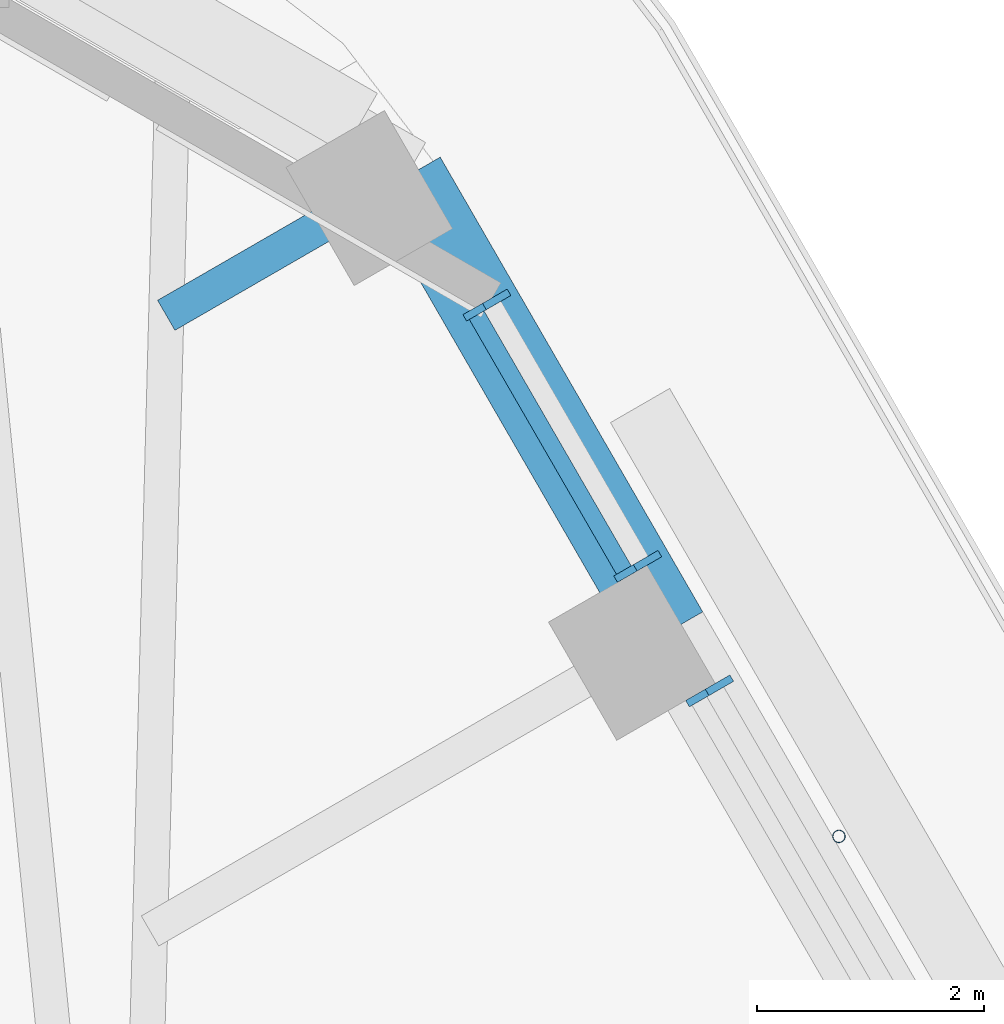
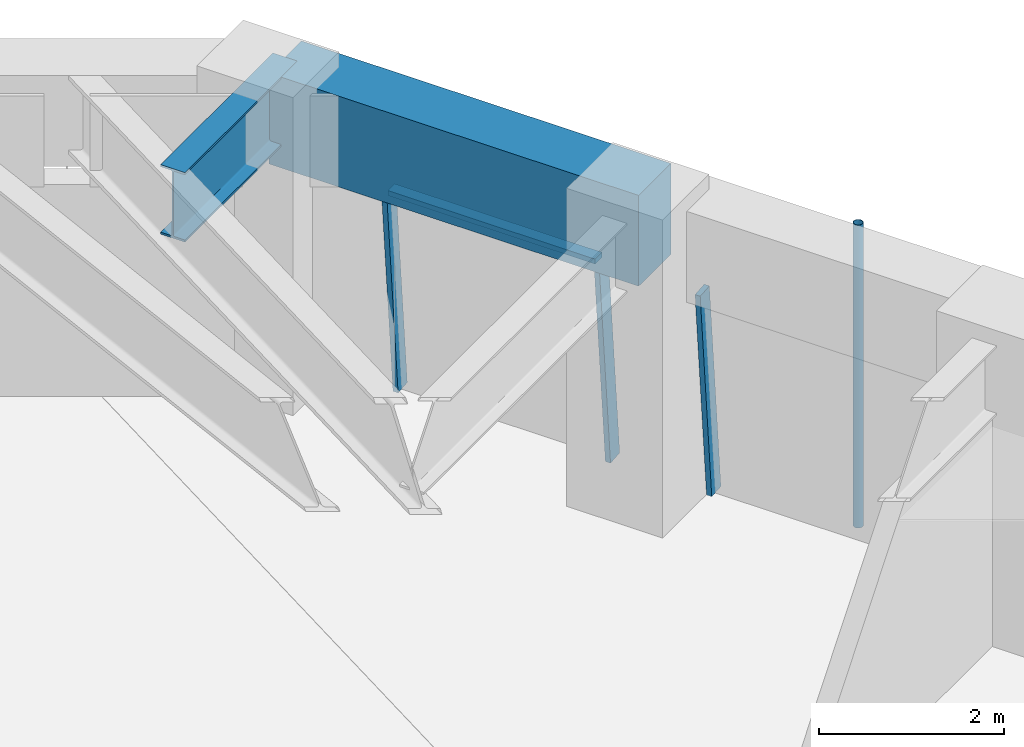
# One storey, part 12 of 20: 5 members, 2 beams, 2 elements without a shape of their own.
"""IFC4 building model written with IfcOpenShell, lengths in metres."""

from ifc_helpers import new_model, si_unit, direction, frame, origin, origin_2d, place, context, subcontext, project, spatial, rectangle, hollow_circle, i_section, extrude, material, material_profile, profile_set, type_object, element, aggregate, save


model = new_model("IFC4")

# Units and contexts
model_context = context("Model", 3, precision=1e-05, world=origin(), true_north=direction((0.0, 1.0)))
body_context = subcontext(model_context, "Body", "Model", "MODEL_VIEW")
ifc_project = project(units=[si_unit("LENGTHUNIT", "METRE"), si_unit("AREAUNIT", "SQUARE_METRE"), si_unit("VOLUMEUNIT", "CUBIC_METRE"), si_unit("PLANEANGLEUNIT", "RADIAN"), si_unit("MASSUNIT", "GRAM", prefix="KILO")], contexts=[model_context])

# Site, building, storey
site_placement = place(None, origin())
site = spatial("IfcSite", under=ifc_project, at=site_placement, CompositionType="ELEMENT")
building_placement = place(site_placement, origin())
building = spatial("IfcBuilding", under=site, at=building_placement, Name="Tarfa Lantern Tower", CompositionType="ELEMENT")
storey_placement = place(building_placement, frame((0.0, 0.0, 265.89990234375)))
storey = spatial("IfcBuildingStorey", under=building, at=storey_placement, Name="L60", CompositionType="ELEMENT", Elevation=265.89990234375)

# Curtain wall, member
ifc_material_1 = material(Name="Aluminium framed curtain wall", Category="aluminium")
curtain_wall_type = type_object("IfcCurtainWallType", Name="CW3 CANTED GLAZING HIGH ZONE 2800", PredefinedType="USERDEFINED", material=ifc_material_1)
curtain_wall_1_placement = place(storey_placement, origin())
curtain_wall_1 = element("IfcCurtainWall", 1, at=curtain_wall_1_placement, inside=storey, type_object=curtain_wall_type, Name="CW3 NE L60", ObjectType="CURTAIN WALL", PredefinedType="USERDEFINED")
ifc_material_2 = material(Name="Aluminium mullion", Category="aluminium")
ifc_material_profile_1 = material_profile(ifc_material_2, rectangle(XDim=0.06494140625, YDim=0.199951171875, at=origin_2d()), Name="AL MULLION 65x200")
ifc_profile_set_1 = profile_set([ifc_material_profile_1], Name="Aluminium mullion")
member_type_1 = type_object("IfcMemberType", Name="CWM1 MULLION 65x200", PredefinedType="MULLION", material=ifc_profile_set_1)
member_1_placement = place(storey_placement, frame((20.7255859375, 21.90234375, 0.0), z_axis=(-0.077032386753, -0.044465143199, 0.996036576854), x_axis=(0.499919672301, -0.866071776036, 0.0)))
member_1 = element("IfcMember", 2, at=member_1_placement, type_object=member_type_1, Name="CW3 mullion 2", PredefinedType="MULLION", context=body_context, shape_type="SweptSolid", body=[
    extrude(rectangle(XDim=0.06494140625, YDim=0.199951171875, at=origin_2d()), origin(), (0.0, 0.0, 1.0), 2.811279296875),
])
aggregate(curtain_wall_1, [member_1])

# Curtain wall, members
curtain_wall_2_placement = place(storey_placement, origin())
curtain_wall_2 = element("IfcCurtainWall", 3, at=curtain_wall_2_placement, inside=storey, type_object=curtain_wall_type, Name="CW3 NE L60", ObjectType="CURTAIN WALL", PredefinedType="USERDEFINED")
member_2_placement = place(storey_placement, frame((20.093017578125, 22.997802734375, 0.0), z_axis=(-0.077032386753, -0.044465143199, 0.996036576854), x_axis=(0.499919672301, -0.866071776036, 0.0)))
member_2 = element("IfcMember", 4, at=member_2_placement, type_object=member_type_1, Name="CW3 mullion 1", PredefinedType="MULLION", context=body_context, shape_type="SweptSolid", body=[
    extrude(rectangle(XDim=0.06494140625, YDim=0.199951171875, at=origin_2d()), origin(), (0.0, 0.0, 1.0), 2.811279296875),
])
member_3_placement = place(storey_placement, frame((18.76611328125, 25.296142578125, 0.0), z_axis=(-0.077032386753, -0.044465143199, 0.996036576854), x_axis=(0.499919672301, -0.866071776036, 0.0)))
member_3 = element("IfcMember", 5, at=member_3_placement, type_object=member_type_1, Name="CW3 mullion 2", PredefinedType="MULLION", context=body_context, shape_type="SweptSolid", body=[
    extrude(rectangle(XDim=0.06494140625, YDim=0.199951171875, at=origin_2d()), origin(), (0.0, 0.0, 1.0), 2.811279296875),
])
ifc_material_3 = material(Name="Aluminium transom", Category="aluminium")
ifc_material_profile_2 = material_profile(ifc_material_3, rectangle(XDim=0.14990234375, YDim=0.06494140625, at=origin_2d()), Name="AL TRANSOM 150x65")
ifc_profile_set_2 = profile_set([ifc_material_profile_2], Name="Aluminium transom")
member_type_2 = type_object("IfcMemberType", Name="CWT1 TRANSOM 150x65", PredefinedType="USERDEFINED", material=ifc_profile_set_2)
member_4_placement = place(storey_placement, frame((19.86279296875, 22.90234375, 2.767578125), z_axis=(-0.5000136139, 0.866017543653, 0.0), x_axis=(-0.866017543653, -0.5000136139, 0.0)))
member_4 = element("IfcMember", 6, at=member_4_placement, type_object=member_type_2, Name="CW3 transom 1.2", ObjectType="TRANSOM", PredefinedType="USERDEFINED", context=body_context, shape_type="SweptSolid", body=[
    extrude(rectangle(XDim=0.14990234375, YDim=0.06494140625, at=origin_2d()), origin(), (0.0, 0.0, 1.0), 2.5888671875),
])
aggregate(curtain_wall_2, [member_2, member_3, member_4])

# Beam
ifc_material_4 = material(Name="Concrete C80/95", Category="concrete")
ifc_material_profile_3 = material_profile(ifc_material_4, rectangle(XDim=0.699951171875, YDim=1.199951171875, at=origin_2d()), Name="RC 700x1200")
ifc_profile_set_3 = profile_set([ifc_material_profile_3], Name="Concrete C80/95")
beam_type_1 = type_object("IfcBeamType", Name="EB3 RC 700x1200", PredefinedType="SPANDREL", material=ifc_profile_set_3)
beam_1_placement = place(storey_placement, frame((20.25341796875, 22.360107421875, 3.400146484375), z_axis=(-0.499987836815, 0.866032426089, 0.0), x_axis=(-0.866032426089, -0.499987836815, 0.0)))
element("IfcBeam", 7, at=beam_1_placement, inside=storey, type_object=beam_type_1, Name="Edge beam NE5", PredefinedType="SPANDREL", context=body_context, shape_type="SweptSolid", body=[
    extrude(rectangle(XDim=0.699951171875, YDim=1.199951171875, at=origin_2d()), origin(), (0.0, 0.0, 1.0), 4.61865234375),
])

# Member
ifc_material_5 = material(Name="Steel S355", Category="steel")
ifc_material_profile_4 = material_profile(ifc_material_5, hollow_circle(Radius=0.05712890625, WallThickness=0.00634765625, at=origin_2d()), Name="CHS114.3x6.3")
ifc_profile_set_4 = profile_set([ifc_material_profile_4], Name="Steel S355")
member_type_3 = type_object("IfcMemberType", Name="TR1 GREEN WALL TRELLIS CHS114.3x6.3", PredefinedType="USERDEFINED", material=ifc_profile_set_4)
member_5_placement = place(storey_placement, frame((21.754638671875, 20.56005859375, 0.0), z_axis=(0.0, 0.0, 1.0), x_axis=(1.0, 0.0, 0.0)))
element("IfcMember", 8, at=member_5_placement, inside=storey, type_object=member_type_3, Name="Trellis post NE 2", ObjectType="TRELLIS", PredefinedType="USERDEFINED", context=body_context, shape_type="SweptSolid", body=[
    extrude(hollow_circle(Radius=0.05712890625, WallThickness=0.00634765625, at=origin_2d()), origin(), (0.0, 0.0, 1.0), 4.0),
])

# Beam
ifc_material_6 = material(Name="Steel S460M", Category="steel")
ifc_material_profile_5 = material_profile(ifc_material_6, i_section(OverallWidth=0.305419921875, OverallDepth=0.91845703125, WebThickness=0.017333984375, FlangeThickness=0.02783203125, FilletRadius=0.01904296875, at=origin_2d()), Name="UB914x305x253")
ifc_profile_set_5 = profile_set([ifc_material_profile_5], Name="Steel S460M")
beam_type_2 = type_object("IfcBeamType", Name="UB914x305x253", PredefinedType="BEAM", material=ifc_profile_set_5)
beam_2_placement = place(storey_placement, frame((17.944091796875, 26.360107421875, 3.541015625), z_axis=(-0.865980009423, -0.5000786171, 0.0), x_axis=(0.5000786171, -0.865980009423, 0.0)))
element("IfcBeam", 9, at=beam_2_placement, inside=storey, type_object=beam_type_2, Name="Floor beam NE6", PredefinedType="BEAM", context=body_context, shape_type="SweptSolid", body=[
    extrude(i_section(OverallWidth=0.305419921875, OverallDepth=0.91845703125, WebThickness=0.017333984375, FlangeThickness=0.02783203125, FilletRadius=0.01904296875, at=origin_2d()), origin(), (0.0, 0.0, 1.0), 2.4326171875),
])

save(model, "model.ifc")
